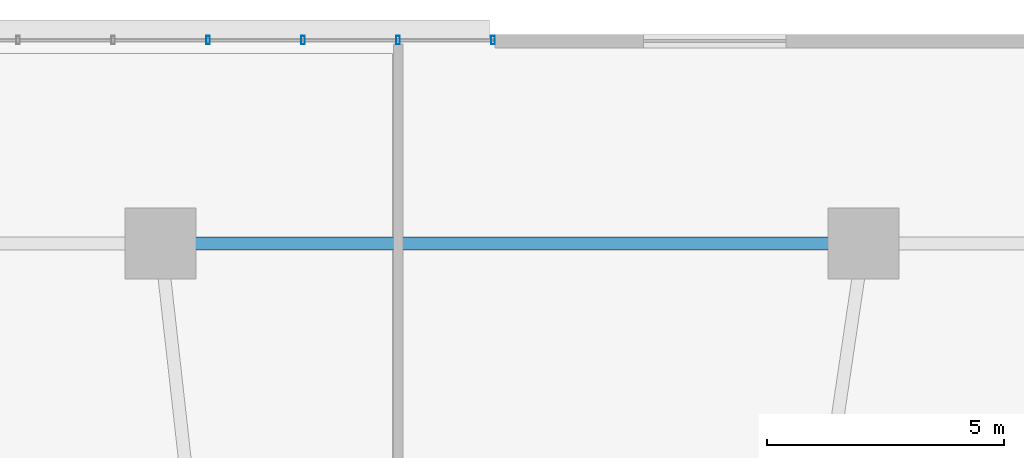
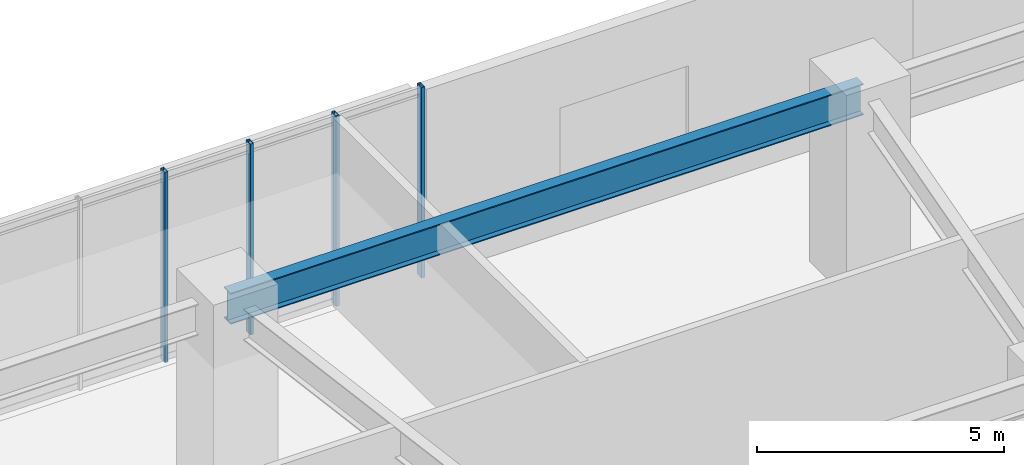
# One storey, part 8 of 24: 4 members, 1 beam, 1 element without a shape of its own.
"""IFC4 building model written with IfcOpenShell, lengths in metres."""

from ifc_helpers import new_model, si_unit, direction, frame, origin, origin_2d, place, context, subcontext, project, spatial, hollow_rectangle, i_section, extrude, material, material_profile, profile_set, type_object, element, aggregate, save


model = new_model("IFC4")

# Units and contexts
model_context = context("Model", 3, precision=1e-05, world=origin(), true_north=direction((0.0, 1.0)))
body_context = subcontext(model_context, "Body", "Model", "MODEL_VIEW")
ifc_project = project(units=[si_unit("LENGTHUNIT", "METRE"), si_unit("AREAUNIT", "SQUARE_METRE"), si_unit("VOLUMEUNIT", "CUBIC_METRE"), si_unit("PLANEANGLEUNIT", "RADIAN"), si_unit("MASSUNIT", "GRAM", prefix="KILO")], contexts=[model_context])

# Site, building, storey
site_placement = place(None, origin())
site = spatial("IfcSite", under=ifc_project, at=site_placement, CompositionType="ELEMENT")
building_placement = place(site_placement, origin())
building = spatial("IfcBuilding", under=site, at=building_placement, Name="Zulverin Broadcast Headquarters", CompositionType="ELEMENT")
storey_placement = place(building_placement, frame((0.0, 0.0, 5.0)))
storey = spatial("IfcBuildingStorey", under=building, at=storey_placement, Name="L01", CompositionType="ELEMENT", Elevation=5.0)

# Beam
ifc_material_1 = material(Name="Structural steel S355JR", Category="steel")
ifc_material_profile_1 = material_profile(ifc_material_1, i_section(OverallWidth=0.26806640625, OverallDepth=0.769775390625, WebThickness=0.015625, FlangeThickness=0.025390625, at=origin_2d()), Name="Structural steel S355JR", Category="steel")
ifc_profile_set_1 = profile_set([ifc_material_profile_1], Name="Structural steel S355JR")
beam_type = type_object("IfcBeamType", Name="BM-UB-762", PredefinedType="BEAM", material=ifc_profile_set_1)
beam_placement = place(storey_placement, frame((51.800048828125, 46.0, 4.275146484375), z_axis=(-1.0, 0.0, 0.0), x_axis=(0.0, -1.0, 0.0)))
element("IfcBeam", 1, at=beam_placement, inside=storey, type_object=beam_type, Name="L01 Podium Primary Girder P09-P08", PredefinedType="BEAM", context=body_context, shape_type="SweptSolid", body=[
    extrude(i_section(OverallWidth=0.26806640625, OverallDepth=0.769775390625, WebThickness=0.015625, FlangeThickness=0.025390625, at=origin_2d()), origin(), (0.0, 0.0, 1.0), 14.800048828125),
])

# Curtain wall, members
ifc_material_2 = material(Name="Pale-metal unitised podium curtain wall", Category="aluminium")
curtain_wall_type = type_object("IfcCurtainWallType", Name="CW-POD", PredefinedType="USERDEFINED", material=ifc_material_2)
curtain_wall_placement = place(storey_placement, origin())
curtain_wall = element("IfcCurtainWall", 2, at=curtain_wall_placement, inside=storey, type_object=curtain_wall_type, Name="L01 Unitised Curtain Wall CW-L01-N2", ObjectType="UNITISED CURTAIN WALL", PredefinedType="USERDEFINED")
ifc_material_3 = material(Name="Anodized pale-metal aluminium alloy 6063-T6", Category="aluminium")
ifc_material_profile_2 = material_profile(ifc_material_3, hollow_rectangle(XDim=0.074951171875, YDim=0.179931640625, WallThickness=0.0048828125, at=origin_2d()), Name="Anodized pale-metal aluminium alloy 6063-T6", Category="aluminium")
ifc_profile_set_2 = profile_set([ifc_material_profile_2], Name="Anodized pale-metal aluminium alloy 6063-T6")
member_type = type_object("IfcMemberType", Name="CW-MUL-180", PredefinedType="MULLION", material=ifc_profile_set_2)
member_1_placement = place(storey_placement, frame((44.0, 50.280029296875, -0.030029296875), z_axis=(0.0, 0.0, 1.0), x_axis=(-1.0, 0.0, 0.0)))
member_1 = element("IfcMember", 3, at=member_1_placement, type_object=member_type, Name="CW-L01-N2 Mullion 00", PredefinedType="MULLION", context=body_context, shape_type="SweptSolid", body=[
    extrude(hollow_rectangle(XDim=0.074951171875, YDim=0.179931640625, WallThickness=0.0048828125, at=origin_2d()), origin(), (0.0, 0.0, 1.0), 4.719970703125),
])
member_2_placement = place(storey_placement, frame((42.0, 50.280029296875, -0.030029296875), z_axis=(0.0, 0.0, 1.0), x_axis=(-1.0, 0.0, 0.0)))
member_2 = element("IfcMember", 4, at=member_2_placement, type_object=member_type, Name="CW-L01-N2 Mullion 01", PredefinedType="MULLION", context=body_context, shape_type="SweptSolid", body=[
    extrude(hollow_rectangle(XDim=0.074951171875, YDim=0.179931640625, WallThickness=0.0048828125, at=origin_2d()), origin(), (0.0, 0.0, 1.0), 4.719970703125),
])
member_3_placement = place(storey_placement, frame((40.0, 50.280029296875, -0.030029296875), z_axis=(0.0, 0.0, 1.0), x_axis=(-1.0, 0.0, 0.0)))
member_3 = element("IfcMember", 5, at=member_3_placement, type_object=member_type, Name="CW-L01-N2 Mullion 02", PredefinedType="MULLION", context=body_context, shape_type="SweptSolid", body=[
    extrude(hollow_rectangle(XDim=0.074951171875, YDim=0.179931640625, WallThickness=0.0048828125, at=origin_2d()), origin(), (0.0, 0.0, 1.0), 4.719970703125),
])
member_4_placement = place(storey_placement, frame((38.0, 50.280029296875, -0.030029296875), z_axis=(0.0, 0.0, 1.0), x_axis=(-1.0, 0.0, 0.0)))
member_4 = element("IfcMember", 6, at=member_4_placement, type_object=member_type, Name="CW-L01-N2 Mullion 03", PredefinedType="MULLION", context=body_context, shape_type="SweptSolid", body=[
    extrude(hollow_rectangle(XDim=0.074951171875, YDim=0.179931640625, WallThickness=0.0048828125, at=origin_2d()), origin(), (0.0, 0.0, 1.0), 4.719970703125),
])
aggregate(curtain_wall, [member_1, member_2, member_3, member_4])

save(model, "model.ifc")
